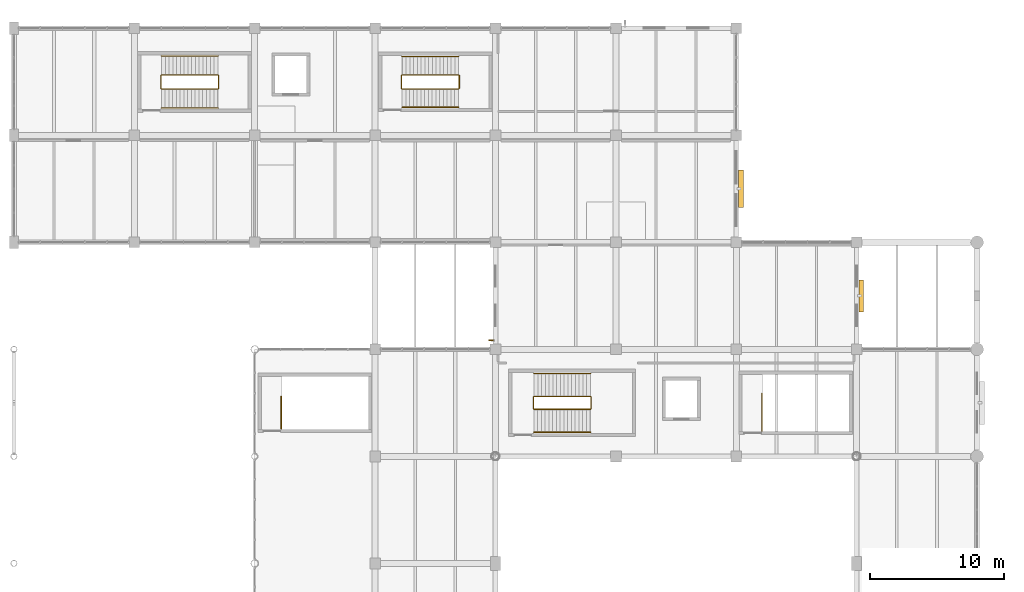
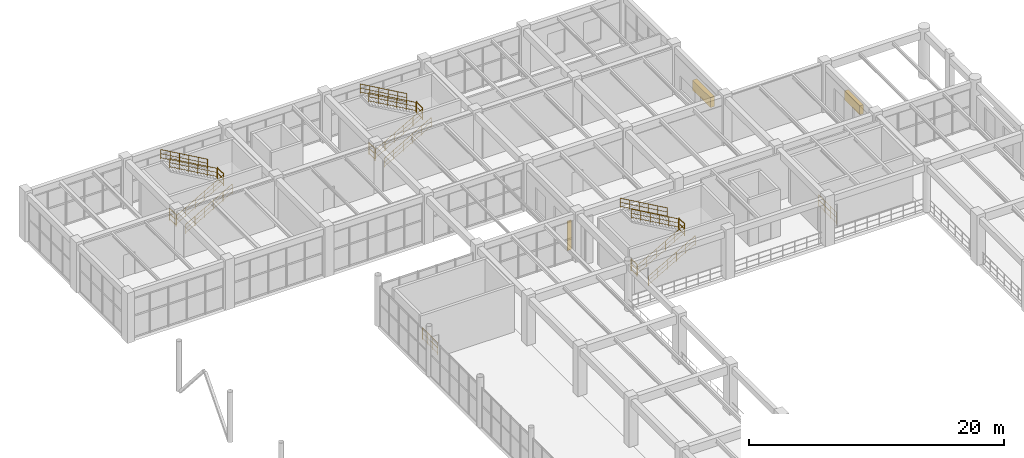
# One storey, part 172 of 178: 20 railings, 3 shading devices.
"""IFC4 building model written with IfcOpenShell, lengths in metres."""

from ifc_helpers import new_model, si_unit, derived_unit, direction, frame, origin, origin_2d, place, context, subcontext, project, spatial, rectangle, circle, extrude, material, type_object, element, save


model = new_model("IFC4")

# Units and contexts
model_context = context("Model", 3, precision=1e-05, world=origin(), true_north=direction((0.0, 1.0)))
body_context = subcontext(model_context, "Body", "Model", "MODEL_VIEW")
ifc_project = project(units=[si_unit("LENGTHUNIT", "METRE"), si_unit("AREAUNIT", "SQUARE_METRE"), si_unit("VOLUMEUNIT", "CUBIC_METRE"), si_unit("PLANEANGLEUNIT", "RADIAN"), si_unit("MASSUNIT", "GRAM", prefix="KILO"), derived_unit("THERMALTRANSMITTANCEUNIT", [(si_unit("MASSUNIT", "GRAM", prefix="KILO"), 1), (si_unit("TIMEUNIT", "SECOND"), -3), (si_unit("THERMODYNAMICTEMPERATUREUNIT", "KELVIN"), -1)])], contexts=[model_context])

# Site, building, storey
site_placement = place(None, origin())
site = spatial("IfcSite", under=ifc_project, at=site_placement, CompositionType="ELEMENT")
building_placement = place(site_placement, origin())
building = spatial("IfcBuilding", under=site, at=building_placement, Name="Zhenchuan Archway Interchange", CompositionType="ELEMENT")
storey_placement = place(building_placement, frame((0.0, 0.0, 5.39990234375)))
storey = spatial("IfcBuildingStorey", under=building, at=storey_placement, Name="L01", CompositionType="ELEMENT", Elevation=5.39990234375)

# Railings
ifc_material_1 = material(Name="Painted Galvanised Steel", Category="steel")
railing_type_1 = type_object("IfcRailingType", Name="RL_GUARD_1150", PredefinedType="GUARDRAIL", material=ifc_material_1)
for number, where, name in (
    (1, (43.135009765625, 83.56494140625, 2.400146484375), "Stair ST-M2 half-landing slot guard (L01)"),
    (2, (38.8349609375, 83.56494140625, 0.0), "Stair ST-M2 floor well guard (L01)"),
):
    element("IfcRailing", number, at=place(storey_placement, frame(where)), inside=storey, type_object=railing_type_1, Name=name, PredefinedType="GUARDRAIL", context=body_context, shape_type="SweptSolid", body=[
        extrude(circle(Radius=0.02392578125, at=origin_2d()), frame((0.0, 0.0, 1.1259765625), z_axis=(0.0, 1.0, 0.0), x_axis=(-1.0, 0.0, 0.0)), (0.0, 0.0, 1.0), 0.8701171875),
        extrude(circle(Radius=0.01611328125, at=origin_2d()), frame((0.0, 0.0, 0.63232421875), z_axis=(0.0, 1.0, 0.0), x_axis=(-1.0, 0.0, 0.0)), (0.0, 0.0, 1.0), 0.8701171875),
        extrude(circle(Radius=0.01611328125, at=origin_2d()), frame((0.0, 0.0, 0.1201171875), z_axis=(0.0, 1.0, 0.0), x_axis=(-1.0, 0.0, 0.0)), (0.0, 0.0, 1.0), 0.8701171875),
        extrude(circle(Radius=0.02099609375, at=origin_2d()), origin(), (0.0, 0.0, 1.0), 1.1259765625),
        extrude(circle(Radius=0.02099609375, at=origin_2d()), frame((0.0, 0.8701171875, 0.0)), (0.0, 0.0, 1.0), 1.1259765625),
    ])
railing_1_placement = place(storey_placement, frame((55.925048828125, 81.9150390625, 0.0)))
element("IfcRailing", 3, at=railing_1_placement, inside=storey, type_object=railing_type_1, Name="Stair ST-M4 top landing guard (L01)", PredefinedType="GUARDRAIL", context=body_context, shape_type="SweptSolid", body=[
    extrude(circle(Radius=0.02392578125, at=origin_2d()), frame((0.0, 0.0, 1.1259765625), z_axis=(0.0, 1.0, 0.0), x_axis=(-1.0, 0.0, 0.0)), (0.0, 0.0, 1.0), 2.77001953125),
    extrude(circle(Radius=0.01611328125, at=origin_2d()), frame((0.0, 0.0, 0.63232421875), z_axis=(0.0, 1.0, 0.0), x_axis=(-1.0, 0.0, 0.0)), (0.0, 0.0, 1.0), 2.77001953125),
    extrude(circle(Radius=0.01611328125, at=origin_2d()), frame((0.0, 0.0, 0.1201171875), z_axis=(0.0, 1.0, 0.0), x_axis=(-1.0, 0.0, 0.0)), (0.0, 0.0, 1.0), 2.77001953125),
    extrude(circle(Radius=0.02099609375, at=origin_2d()), origin(), (0.0, 0.0, 1.0), 1.1259765625),
    extrude(circle(Radius=0.02099609375, at=origin_2d()), frame((0.0, 0.92333984375, 0.0)), (0.0, 0.0, 1.0), 1.1259765625),
    extrude(circle(Radius=0.02099609375, at=origin_2d()), frame((0.0, 1.8466796875, 0.0)), (0.0, 0.0, 1.0), 1.1259765625),
    extrude(circle(Radius=0.02099609375, at=origin_2d()), frame((0.0, 2.77001953125, 0.0)), (0.0, 0.0, 1.0), 1.1259765625),
])
railing_2_placement = place(storey_placement, frame((19.985107421875, 82.06494140625, 0.0)))
element("IfcRailing", 4, at=railing_2_placement, inside=storey, type_object=railing_type_1, Name="Stair ST-B2 top landing guard (L01)", PredefinedType="GUARDRAIL", context=body_context, shape_type="SweptSolid", body=[
    extrude(circle(Radius=0.02392578125, at=origin_2d()), frame((0.0, 0.0, 1.1259765625), z_axis=(0.0, 1.0, 0.0), x_axis=(-1.0, 0.0, 0.0)), (0.0, 0.0, 1.0), 2.420166015625),
    extrude(circle(Radius=0.01611328125, at=origin_2d()), frame((0.0, 0.0, 0.63232421875), z_axis=(0.0, 1.0, 0.0), x_axis=(-1.0, 0.0, 0.0)), (0.0, 0.0, 1.0), 2.420166015625),
    extrude(circle(Radius=0.01611328125, at=origin_2d()), frame((0.0, 0.0, 0.1201171875), z_axis=(0.0, 1.0, 0.0), x_axis=(-1.0, 0.0, 0.0)), (0.0, 0.0, 1.0), 2.420166015625),
    extrude(circle(Radius=0.02099609375, at=origin_2d()), origin(), (0.0, 0.0, 1.0), 1.1259765625),
    extrude(circle(Radius=0.02099609375, at=origin_2d()), frame((0.0, 0.806640625, 0.0)), (0.0, 0.0, 1.0), 1.1259765625),
    extrude(circle(Radius=0.02099609375, at=origin_2d()), frame((0.0, 1.613525390625, 0.0)), (0.0, 0.0, 1.0), 1.1259765625),
    extrude(circle(Radius=0.02099609375, at=origin_2d()), frame((0.0, 2.420166015625, 0.0)), (0.0, 0.0, 1.0), 1.1259765625),
])
for number, where, name in (
    (5, (15.284912109375, 107.514892578125, 2.400146484375), "Stair ST-W1 half-landing slot guard (L01)"),
    (6, (10.985107421875, 107.514892578125, 0.0), "Stair ST-W1 floor well guard (L01)"),
    (7, (33.284912109375, 107.514892578125, 2.400146484375), "Stair ST-W2 half-landing slot guard (L01)"),
    (8, (28.985107421875, 107.514892578125, 0.0), "Stair ST-W2 floor well guard (L01)"),
):
    element("IfcRailing", number, at=place(storey_placement, frame(where)), inside=storey, type_object=railing_type_1, Name=name, PredefinedType="GUARDRAIL", context=body_context, shape_type="SweptSolid", body=[
        extrude(circle(Radius=0.02392578125, at=origin_2d()), frame((0.0, 0.0, 1.1259765625), z_axis=(0.0, 1.0, 0.0), x_axis=(-1.0, 0.0, 0.0)), (0.0, 0.0, 1.0), 0.97021484375),
        extrude(circle(Radius=0.01611328125, at=origin_2d()), frame((0.0, 0.0, 0.63232421875), z_axis=(0.0, 1.0, 0.0), x_axis=(-1.0, 0.0, 0.0)), (0.0, 0.0, 1.0), 0.97021484375),
        extrude(circle(Radius=0.01611328125, at=origin_2d()), frame((0.0, 0.0, 0.1201171875), z_axis=(0.0, 1.0, 0.0), x_axis=(-1.0, 0.0, 0.0)), (0.0, 0.0, 1.0), 0.97021484375),
        extrude(circle(Radius=0.02099609375, at=origin_2d()), origin(), (0.0, 0.0, 1.0), 1.1259765625),
        extrude(circle(Radius=0.02099609375, at=origin_2d()), frame((0.0, 0.97021484375, 0.0)), (0.0, 0.0, 1.0), 1.1259765625),
    ])
ifc_material_2 = material(Name="Stainless Steel 304", Category="steel")
railing_type_2 = type_object("IfcRailingType", Name="RL_HAND_920", PredefinedType="HANDRAIL", material=ifc_material_2)
for number, where, name in (
    (9, (38.875, 81.804931640625, 0.150146484375), "Stair ST-M2 handrail 1 (L01)"),
    (10, (38.875, 83.52490234375, 0.150146484375), "Stair ST-M2 handrail 2 (L01)"),
):
    element("IfcRailing", number, at=place(storey_placement, frame(where)), inside=storey, type_object=railing_type_2, Name=name, PredefinedType="HANDRAIL", context=body_context, shape_type="SweptSolid", body=[
        extrude(circle(Radius=0.02392578125, at=origin_2d()), frame((0.0, 0.0, 0.89599609375), z_axis=(0.869262576428, 0.0, 0.494350658159), x_axis=(0.0, 1.0, 0.0)), (0.0, 0.0, 1.0), 4.854736328125),
        extrude(circle(Radius=0.01611328125, at=origin_2d()), frame((0.0, 0.0, 0.505859375), z_axis=(0.869262576428, 0.0, 0.494350658159), x_axis=(0.0, 1.0, 0.0)), (0.0, 0.0, 1.0), 4.854736328125),
        extrude(circle(Radius=0.01611328125, at=origin_2d()), frame((0.0, 0.0, 0.1201171875), z_axis=(0.869262576428, 0.0, 0.494350658159), x_axis=(0.0, 1.0, 0.0)), (0.0, 0.0, 1.0), 4.854736328125),
        extrude(circle(Radius=0.02099609375, at=origin_2d()), origin(), (0.0, 0.0, 1.0), 0.89599609375),
        extrude(circle(Radius=0.02099609375, at=origin_2d()), frame((0.843994140625, 0.0, 0.47998046875)), (0.0, 0.0, 1.0), 0.89599609375),
        extrude(circle(Radius=0.02099609375, at=origin_2d()), frame((1.68798828125, 0.0, 0.9599609375)), (0.0, 0.0, 1.0), 0.89599609375),
        extrude(circle(Radius=0.02099609375, at=origin_2d()), frame((2.531982421875, 0.0, 1.43994140625)), (0.0, 0.0, 1.0), 0.89599609375),
        extrude(circle(Radius=0.02099609375, at=origin_2d()), frame((3.3759765625, 0.0, 1.919921875)), (0.0, 0.0, 1.0), 0.89599609375),
        extrude(circle(Radius=0.02099609375, at=origin_2d()), frame((4.219970703125, 0.0, 2.39990234375)), (0.0, 0.0, 1.0), 0.89599609375),
    ])
for number, where, name in (
    (11, (43.094970703125, 84.47509765625, 2.550048828125), "Stair ST-M2 handrail 3 (L01)"),
    (12, (43.094970703125, 86.195068359375, 2.550048828125), "Stair ST-M2 handrail 4 (L01)"),
):
    element("IfcRailing", number, at=place(storey_placement, frame(where)), inside=storey, type_object=railing_type_2, Name=name, PredefinedType="HANDRAIL", context=body_context, shape_type="SweptSolid", body=[
        extrude(circle(Radius=0.02392578125, at=origin_2d()), frame((0.0, 0.0, 0.89599609375), z_axis=(-0.869240965491, 0.0, 0.494388656739), x_axis=(0.0, -1.0, 0.0)), (0.0, 0.0, 1.0), 4.854736328125),
        extrude(circle(Radius=0.01611328125, at=origin_2d()), frame((0.0, 0.0, 0.505859375), z_axis=(-0.869240965491, 0.0, 0.494388656739), x_axis=(0.0, -1.0, 0.0)), (0.0, 0.0, 1.0), 4.854736328125),
        extrude(circle(Radius=0.01611328125, at=origin_2d()), frame((0.0, 0.0, 0.1201171875), z_axis=(-0.869240965491, 0.0, 0.494388656739), x_axis=(0.0, -1.0, 0.0)), (0.0, 0.0, 1.0), 4.854736328125),
        extrude(circle(Radius=0.02099609375, at=origin_2d()), origin(), (0.0, 0.0, 1.0), 0.89599609375),
        extrude(circle(Radius=0.02099609375, at=origin_2d()), frame((-0.843994140625, 0.0, 0.47998046875)), (0.0, 0.0, 1.0), 0.89599609375),
        extrude(circle(Radius=0.02099609375, at=origin_2d()), frame((-1.68798828125, 0.0, 0.9599609375)), (0.0, 0.0, 1.0), 0.89599609375),
        extrude(circle(Radius=0.02099609375, at=origin_2d()), frame((-2.531982421875, 0.0, 1.440185546875)), (0.0, 0.0, 1.0), 0.89599609375),
        extrude(circle(Radius=0.02099609375, at=origin_2d()), frame((-3.3759765625, 0.0, 1.920166015625)), (0.0, 0.0, 1.0), 0.89599609375),
        extrude(circle(Radius=0.02099609375, at=origin_2d()), frame((-4.219970703125, 0.0, 2.400146484375)), (0.0, 0.0, 1.0), 0.89599609375),
    ])
for number, where, name in (
    (13, (11.02490234375, 106.054931640625, 0.150146484375), "Stair ST-W1 handrail 1 (L01)"),
    (14, (11.02490234375, 107.47509765625, 0.150146484375), "Stair ST-W1 handrail 2 (L01)"),
):
    element("IfcRailing", number, at=place(storey_placement, frame(where)), inside=storey, type_object=railing_type_2, Name=name, PredefinedType="HANDRAIL", context=body_context, shape_type="SweptSolid", body=[
        extrude(circle(Radius=0.02392578125, at=origin_2d()), frame((0.0, 0.0, 0.89599609375), z_axis=(0.86927486562, 0.0, 0.494329048308), x_axis=(0.0, 1.0, 0.0)), (0.0, 0.0, 1.0), 4.85498046875),
        extrude(circle(Radius=0.01611328125, at=origin_2d()), frame((0.0, 0.0, 0.505859375), z_axis=(0.86927486562, 0.0, 0.494329048308), x_axis=(0.0, 1.0, 0.0)), (0.0, 0.0, 1.0), 4.85498046875),
        extrude(circle(Radius=0.01611328125, at=origin_2d()), frame((0.0, 0.0, 0.1201171875), z_axis=(0.86927486562, 0.0, 0.494329048308), x_axis=(0.0, 1.0, 0.0)), (0.0, 0.0, 1.0), 4.85498046875),
        extrude(circle(Radius=0.02099609375, at=origin_2d()), origin(), (0.0, 0.0, 1.0), 0.89599609375),
        extrude(circle(Radius=0.02099609375, at=origin_2d()), frame((0.843994140625, 0.0, 0.47998046875)), (0.0, 0.0, 1.0), 0.89599609375),
        extrude(circle(Radius=0.02099609375, at=origin_2d()), frame((1.68798828125, 0.0, 0.9599609375)), (0.0, 0.0, 1.0), 0.89599609375),
        extrude(circle(Radius=0.02099609375, at=origin_2d()), frame((2.5322265625, 0.0, 1.43994140625)), (0.0, 0.0, 1.0), 0.89599609375),
        extrude(circle(Radius=0.02099609375, at=origin_2d()), frame((3.376220703125, 0.0, 1.919921875)), (0.0, 0.0, 1.0), 0.89599609375),
        extrude(circle(Radius=0.02099609375, at=origin_2d()), frame((4.22021484375, 0.0, 2.39990234375)), (0.0, 0.0, 1.0), 0.89599609375),
    ])
for number, where, name in (
    (15, (15.2451171875, 108.52490234375, 2.550048828125), "Stair ST-W1 handrail 3 (L01)"),
    (16, (15.2451171875, 109.945068359375, 2.550048828125), "Stair ST-W1 handrail 4 (L01)"),
):
    element("IfcRailing", number, at=place(storey_placement, frame(where)), inside=storey, type_object=railing_type_2, Name=name, PredefinedType="HANDRAIL", context=body_context, shape_type="SweptSolid", body=[
        extrude(circle(Radius=0.02392578125, at=origin_2d()), frame((0.0, 0.0, 0.89599609375), z_axis=(-0.869253256267, 0.0, 0.494367046301), x_axis=(0.0, -1.0, 0.0)), (0.0, 0.0, 1.0), 4.85498046875),
        extrude(circle(Radius=0.01611328125, at=origin_2d()), frame((0.0, 0.0, 0.505859375), z_axis=(-0.869253256267, 0.0, 0.494367046301), x_axis=(0.0, -1.0, 0.0)), (0.0, 0.0, 1.0), 4.85498046875),
        extrude(circle(Radius=0.01611328125, at=origin_2d()), frame((0.0, 0.0, 0.1201171875), z_axis=(-0.869253256267, 0.0, 0.494367046301), x_axis=(0.0, -1.0, 0.0)), (0.0, 0.0, 1.0), 4.85498046875),
        extrude(circle(Radius=0.02099609375, at=origin_2d()), origin(), (0.0, 0.0, 1.0), 0.89599609375),
        extrude(circle(Radius=0.02099609375, at=origin_2d()), frame((-0.843994140625, 0.0, 0.47998046875)), (0.0, 0.0, 1.0), 0.89599609375),
        extrude(circle(Radius=0.02099609375, at=origin_2d()), frame((-1.68798828125, 0.0, 0.9599609375)), (0.0, 0.0, 1.0), 0.89599609375),
        extrude(circle(Radius=0.02099609375, at=origin_2d()), frame((-2.5322265625, 0.0, 1.440185546875)), (0.0, 0.0, 1.0), 0.89599609375),
        extrude(circle(Radius=0.02099609375, at=origin_2d()), frame((-3.376220703125, 0.0, 1.920166015625)), (0.0, 0.0, 1.0), 0.89599609375),
        extrude(circle(Radius=0.02099609375, at=origin_2d()), frame((-4.22021484375, 0.0, 2.400146484375)), (0.0, 0.0, 1.0), 0.89599609375),
    ])
for number, where, name in (
    (17, (29.02490234375, 106.10498046875, 0.150146484375), "Stair ST-W2 handrail 1 (L01)"),
    (18, (29.02490234375, 107.47509765625, 0.150146484375), "Stair ST-W2 handrail 2 (L01)"),
):
    element("IfcRailing", number, at=place(storey_placement, frame(where)), inside=storey, type_object=railing_type_2, Name=name, PredefinedType="HANDRAIL", context=body_context, shape_type="SweptSolid", body=[
        extrude(circle(Radius=0.02392578125, at=origin_2d()), frame((0.0, 0.0, 0.89599609375), z_axis=(0.86927486562, 0.0, 0.494329048308), x_axis=(0.0, 1.0, 0.0)), (0.0, 0.0, 1.0), 4.85498046875),
        extrude(circle(Radius=0.01611328125, at=origin_2d()), frame((0.0, 0.0, 0.505859375), z_axis=(0.86927486562, 0.0, 0.494329048308), x_axis=(0.0, 1.0, 0.0)), (0.0, 0.0, 1.0), 4.85498046875),
        extrude(circle(Radius=0.01611328125, at=origin_2d()), frame((0.0, 0.0, 0.1201171875), z_axis=(0.86927486562, 0.0, 0.494329048308), x_axis=(0.0, 1.0, 0.0)), (0.0, 0.0, 1.0), 4.85498046875),
        extrude(circle(Radius=0.02099609375, at=origin_2d()), origin(), (0.0, 0.0, 1.0), 0.89599609375),
        extrude(circle(Radius=0.02099609375, at=origin_2d()), frame((0.843994140625, 0.0, 0.47998046875)), (0.0, 0.0, 1.0), 0.89599609375),
        extrude(circle(Radius=0.02099609375, at=origin_2d()), frame((1.68798828125, 0.0, 0.9599609375)), (0.0, 0.0, 1.0), 0.89599609375),
        extrude(circle(Radius=0.02099609375, at=origin_2d()), frame((2.5322265625, 0.0, 1.43994140625)), (0.0, 0.0, 1.0), 0.89599609375),
        extrude(circle(Radius=0.02099609375, at=origin_2d()), frame((3.376220703125, 0.0, 1.919921875)), (0.0, 0.0, 1.0), 0.89599609375),
        extrude(circle(Radius=0.02099609375, at=origin_2d()), frame((4.22021484375, 0.0, 2.39990234375)), (0.0, 0.0, 1.0), 0.89599609375),
    ])
for number, where, name in (
    (19, (33.2451171875, 108.52490234375, 2.550048828125), "Stair ST-W2 handrail 3 (L01)"),
    (20, (33.2451171875, 109.89501953125, 2.550048828125), "Stair ST-W2 handrail 4 (L01)"),
):
    element("IfcRailing", number, at=place(storey_placement, frame(where)), inside=storey, type_object=railing_type_2, Name=name, PredefinedType="HANDRAIL", context=body_context, shape_type="SweptSolid", body=[
        extrude(circle(Radius=0.02392578125, at=origin_2d()), frame((0.0, 0.0, 0.89599609375), z_axis=(-0.869253256267, 0.0, 0.494367046301), x_axis=(0.0, -1.0, 0.0)), (0.0, 0.0, 1.0), 4.85498046875),
        extrude(circle(Radius=0.01611328125, at=origin_2d()), frame((0.0, 0.0, 0.505859375), z_axis=(-0.869253256267, 0.0, 0.494367046301), x_axis=(0.0, -1.0, 0.0)), (0.0, 0.0, 1.0), 4.85498046875),
        extrude(circle(Radius=0.01611328125, at=origin_2d()), frame((0.0, 0.0, 0.1201171875), z_axis=(-0.869253256267, 0.0, 0.494367046301), x_axis=(0.0, -1.0, 0.0)), (0.0, 0.0, 1.0), 4.85498046875),
        extrude(circle(Radius=0.02099609375, at=origin_2d()), origin(), (0.0, 0.0, 1.0), 0.89599609375),
        extrude(circle(Radius=0.02099609375, at=origin_2d()), frame((-0.843994140625, 0.0, 0.47998046875)), (0.0, 0.0, 1.0), 0.89599609375),
        extrude(circle(Radius=0.02099609375, at=origin_2d()), frame((-1.68798828125, 0.0, 0.9599609375)), (0.0, 0.0, 1.0), 0.89599609375),
        extrude(circle(Radius=0.02099609375, at=origin_2d()), frame((-2.5322265625, 0.0, 1.440185546875)), (0.0, 0.0, 1.0), 0.89599609375),
        extrude(circle(Radius=0.02099609375, at=origin_2d()), frame((-3.376220703125, 0.0, 1.920166015625)), (0.0, 0.0, 1.0), 0.89599609375),
        extrude(circle(Radius=0.02099609375, at=origin_2d()), frame((-4.22021484375, 0.0, 2.400146484375)), (0.0, 0.0, 1.0), 0.89599609375),
    ])

# Shading devices
ifc_material_3 = material(Name="Terracotta Ceramic", Category="masonry")
shading_device_type_1 = type_object("IfcShadingDeviceType", Name="SHD_FIN_2", PredefinedType="USERDEFINED", material=ifc_material_3)
shading_device_1_placement = place(storey_placement, frame((35.656005859375, 88.677978515625, 0.5302734375), z_axis=(0.0, 0.0, 1.0), x_axis=(0.0, 1.0, 0.0)))
element("IfcShadingDevice", 21, at=shading_device_1_placement, inside=storey, type_object=shading_device_type_1, Name="Terracotta vertical solar fin L01-028", ObjectType="FINS", PredefinedType="USERDEFINED", context=body_context, shape_type="SweptSolid", body=[
    extrude(rectangle(XDim=0.080078125, YDim=0.360107421875, at=origin_2d()), origin(), (0.0, 0.0, 1.0), 2.800048828125),
])
ifc_material_4 = material(Name="Anodised Aluminium", Category="aluminium")
shading_device_type_2 = type_object("IfcShadingDeviceType", Name="SHD_LOUVRE_1", PredefinedType="JALOUSIE", material=ifc_material_4)
shading_device_2_placement = place(storey_placement, frame((54.35400390625, 100.0, 1.625), z_axis=(0.0, 0.0, 1.0), x_axis=(0.0, -1.0, 0.0)))
element("IfcShadingDevice", 22, at=shading_device_2_placement, inside=storey, type_object=shading_device_type_2, Name="Monsoon storm-louvre jalousie L01-030", PredefinedType="JALOUSIE", context=body_context, shape_type="SweptSolid", body=[
    extrude(rectangle(XDim=2.800048828125, YDim=0.3798828125, at=origin_2d()), origin(), (0.0, 0.0, 1.0), 0.949951171875),
])
shading_device_type_3 = type_object("IfcShadingDeviceType", Name="SHD_LOUVRE_2", PredefinedType="JALOUSIE", material=ifc_material_4)
shading_device_3_placement = place(storey_placement, frame((63.333984375, 92.0, 2.525146484375), z_axis=(0.0, 0.0, 1.0), x_axis=(0.0, -1.0, 0.0)))
element("IfcShadingDevice", 23, at=shading_device_3_placement, inside=storey, type_object=shading_device_type_3, Name="Monsoon storm-louvre jalousie L01-031", PredefinedType="JALOUSIE", context=body_context, shape_type="SweptSolid", body=[
    extrude(rectangle(XDim=2.39990234375, YDim=0.340087890625, at=origin_2d()), origin(), (0.0, 0.0, 1.0), 0.85009765625),
])

save(model, "model.ifc")
